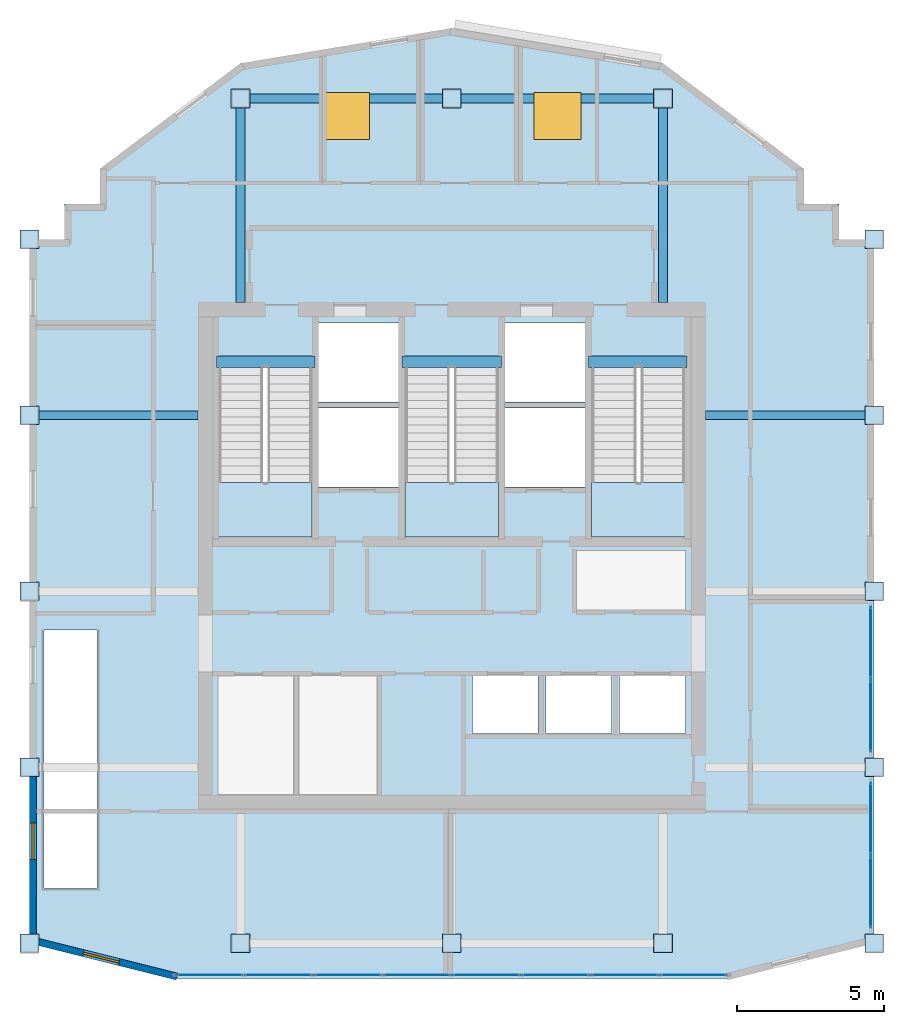
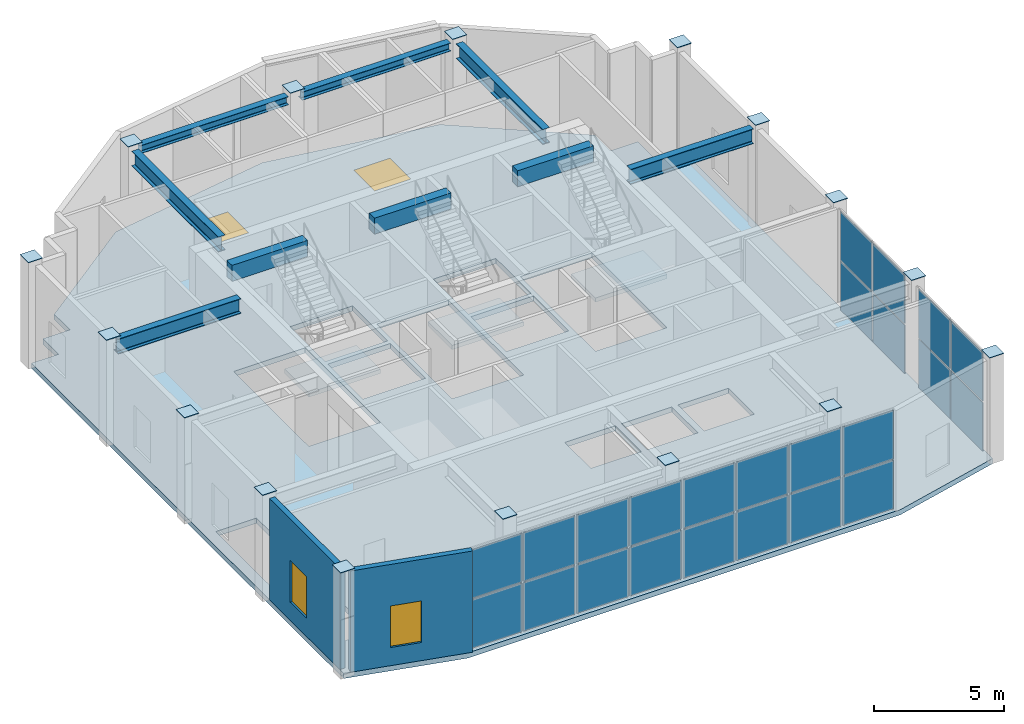
# One storey, part 6 of 11: 40 plates, 9 beams, 4 slabs, 4 windows, 2 walls, 4 openings, 6 elements without a shape of their own.
"""IFC4 building model written with IfcOpenShell, lengths in metres."""

from ifc_helpers import new_model, si_unit, direction, frame, frame_2d, origin, origin_2d, place, context, subcontext, project, spatial, polyline, rectangle, i_section, outline, extrude, material, layer, layer_set, material_profile, profile_set, type_object, element, fill, aggregate, save


model = new_model("IFC4")

# Units and contexts
model_context = context("Model", 3, precision=1e-05, world=origin(), true_north=direction((0.0, 1.0)))
body_context = subcontext(model_context, "Body", "Model", "MODEL_VIEW")
ifc_project = project(units=[si_unit("LENGTHUNIT", "METRE"), si_unit("AREAUNIT", "SQUARE_METRE"), si_unit("VOLUMEUNIT", "CUBIC_METRE"), si_unit("PLANEANGLEUNIT", "RADIAN"), si_unit("MASSUNIT", "GRAM", prefix="KILO")], contexts=[model_context])

# Site, building, storey
site_placement = place(None, origin())
site = spatial("IfcSite", under=ifc_project, at=site_placement, CompositionType="ELEMENT")
building_placement = place(site_placement, origin())
building = spatial("IfcBuilding", under=site, at=building_placement, Name="Haolan Belvedere Tower", CompositionType="ELEMENT")
storey_placement = place(building_placement, frame((0.0, 0.0, 323.199951171875)))
storey = spatial("IfcBuildingStorey", under=building, at=storey_placement, Name="L81", CompositionType="ELEMENT", Elevation=323.199951171875)

# Beams
ifc_material_1 = material(Name="Steel Q355B", Category="steel")
ifc_material_profile_1 = material_profile(ifc_material_1, i_section(OverallWidth=0.300048828125, OverallDepth=0.389892578125, WebThickness=0.010009765625, FlangeThickness=0.01611328125, FilletRadius=0.02197265625, at=origin_2d()), Name="Steel Q355B")
ifc_profile_set_1 = profile_set([ifc_material_profile_1], Name="Steel Q355B")
beam_type_1 = type_object("IfcBeamType", Name="BM-HM390x300x10x16", PredefinedType="SPANDREL", material=ifc_profile_set_1)
for number, where, z_axis, x_axis, name in (
    (1, (31.5, 50.39990234375, 4.554931640625), (1.0, 0.0, 0.0), (0.0, 1.0, 0.0), "L81 spandrel girder MC-T3-N1-TC-T3-NM"),
    (2, (38.699951171875, 50.39990234375, 4.554931640625), (1.0, 0.0, 0.0), (0.0, 1.0, 0.0), "L81 spandrel girder TC-T3-NM-MC-T3-N2"),
):
    element("IfcBeam", number, at=place(storey_placement, frame(where, z_axis=z_axis, x_axis=x_axis)), inside=storey, type_object=beam_type_1, Name=name, PredefinedType="SPANDREL", context=body_context, shape_type="SweptSolid", body=[
        extrude(i_section(OverallWidth=0.300048828125, OverallDepth=0.389892578125, WebThickness=0.010009765625, FlangeThickness=0.01611328125, FilletRadius=0.02197265625, at=origin_2d()), origin(), (0.0, 0.0, 1.0), 6.60009765625),
    ])
ifc_material_profile_2 = material_profile(ifc_material_1, i_section(OverallWidth=0.300048828125, OverallDepth=0.699951171875, WebThickness=0.012939453125, FlangeThickness=0.02392578125, FilletRadius=0.02587890625, at=origin_2d()), Name="Steel Q355B")
ifc_profile_set_2 = profile_set([ifc_material_profile_2], Name="Steel Q355B")
beam_type_2 = type_object("IfcBeamType", Name="BM-HN700x300x13x24", PredefinedType="BEAM", material=ifc_profile_set_2)
for number, where, z_axis, x_axis, name in (
    (3, (24.300048828125, 39.60009765625, 4.400146484375), (1.0, 0.0, 0.0), (0.0, 1.0, 0.0), "L81 core tie beam from TC-T3-W2"),
    (4, (52.5, 39.60009765625, 4.400146484375), (-1.0, 0.0, 0.0), (0.0, -1.0, 0.0), "L81 core tie beam from TC-T3-E2"),
):
    element("IfcBeam", number, at=place(storey_placement, frame(where, z_axis=z_axis, x_axis=x_axis)), inside=storey, type_object=beam_type_2, Name=name, PredefinedType="BEAM", context=body_context, shape_type="SweptSolid", body=[
        extrude(i_section(OverallWidth=0.300048828125, OverallDepth=0.699951171875, WebThickness=0.012939453125, FlangeThickness=0.02392578125, FilletRadius=0.02587890625, at=origin_2d()), origin(), (0.0, 0.0, 1.0), 5.449951171875),
    ])
for number, where, z_axis, x_axis, name in (
    (5, (31.199951171875, 50.10009765625, 4.400146484375), (0.0, -1.0, 0.0), (1.0, 0.0, 0.0), "L81 core tie beam from MC-T3-N1"),
    (6, (45.60009765625, 50.10009765625, 4.400146484375), (0.0, -1.0, 0.0), (1.0, 0.0, 0.0), "L81 core tie beam from MC-T3-N2"),
):
    element("IfcBeam", number, at=place(storey_placement, frame(where, z_axis=z_axis, x_axis=x_axis)), inside=storey, type_object=beam_type_2, Name=name, PredefinedType="BEAM", context=body_context, shape_type="SweptSolid", body=[
        extrude(i_section(OverallWidth=0.300048828125, OverallDepth=0.699951171875, WebThickness=0.012939453125, FlangeThickness=0.02392578125, FilletRadius=0.02587890625, at=origin_2d()), origin(), (0.0, 0.0, 1.0), 6.650146484375),
    ])
ifc_material_2 = material(Name="Concrete C50/60", Category="concrete")
ifc_material_profile_3 = material_profile(ifc_material_2, rectangle(XDim=0.39990234375, YDim=0.75, at=origin_2d()), Name="Concrete C50/60")
ifc_profile_set_3 = profile_set([ifc_material_profile_3], Name="Concrete C50/60")
beam_type_3 = type_object("IfcBeamType", Name="BM-RC400x750", PredefinedType="T_BEAM", material=ifc_profile_set_3)
beam_1_placement = place(storey_placement, frame((30.3798828125, 41.429931640625, 4.625), z_axis=(1.0, 0.0, 0.0), x_axis=(0.0, 1.0, 0.0)))
element("IfcBeam", 7, at=beam_1_placement, inside=storey, type_object=beam_type_3, Name="L82 stair ST1 RC header trimmer beam", PredefinedType="BEAM", context=body_context, shape_type="SweptSolid", body=[
    extrude(rectangle(XDim=0.39990234375, YDim=0.75, at=origin_2d()), origin(), (0.0, 0.0, 1.0), 3.360107421875),
])
beam_2_placement = place(storey_placement, frame((36.699951171875, 41.429931640625, 4.625), z_axis=(1.0, 0.0, 0.0), x_axis=(0.0, 1.0, 0.0)))
element("IfcBeam", 8, at=beam_2_placement, inside=storey, type_object=beam_type_3, Name="L82 stair ST3 RC header trimmer beam", PredefinedType="BEAM", context=body_context, shape_type="SweptSolid", body=[
    extrude(rectangle(XDim=0.39990234375, YDim=0.75, at=origin_2d()), origin(), (0.0, 0.0, 1.0), 3.400146484375),
])
beam_3_placement = place(storey_placement, frame((43.06005859375, 41.429931640625, 4.625), z_axis=(1.0, 0.0, 0.0), x_axis=(0.0, 1.0, 0.0)))
element("IfcBeam", 9, at=beam_3_placement, inside=storey, type_object=beam_type_3, Name="L82 stair ST2 RC header trimmer beam", PredefinedType="BEAM", context=body_context, shape_type="SweptSolid", body=[
    extrude(rectangle(XDim=0.39990234375, YDim=0.75, at=origin_2d()), origin(), (0.0, 0.0, 1.0), 3.35986328125),
])

# Curtain wall, plates
ifc_material_3 = material(Name="Anodised champagne-silver aluminium 6063-T6 and Low-E glass", Category="aluminium")
ifc_layer_1 = layer(ifc_material_3, 0.195068359375, Name="Anodised champagne-silver aluminium 6063-T6 and Low-E glass")
ifc_layer_set_1 = layer_set([ifc_layer_1], Name="Anodised champagne-silver aluminium 6063-T6 and Low-E glass")
curtain_wall_type = type_object("IfcCurtainWallType", Name="CW-SYS-06", PredefinedType="NOTDEFINED", material=ifc_layer_set_1)
curtain_wall_1_placement = place(storey_placement, origin())
curtain_wall_1 = element("IfcCurtainWall", 10, at=curtain_wall_1_placement, inside=storey, type_object=curtain_wall_type, Name="L81 CW-SYS-06 ribbon curtain wall 1.1", PredefinedType="NOTDEFINED")
ifc_material_4 = material(Name="Double silver Low-E laminated insulating glass", Category="glass")
ifc_layer_2 = layer(ifc_material_4, 0.031982421875, Name="Double silver Low-E laminated insulating glass")
ifc_layer_set_2 = layer_set([ifc_layer_2], Name="Double silver Low-E laminated insulating glass")
plate_type_1 = type_object("IfcPlateType", Name="CW-SYS-06-PNL", PredefinedType="CURTAIN_PANEL", material=ifc_layer_set_2)
plate_1_placement = place(storey_placement, frame((30.15283203125, 20.52001953125, 0.06494140625), z_axis=(0.0, 0.0, 1.0), x_axis=(1.0, 0.0, 0.0)))
plate_1 = element("IfcPlate", 11, at=plate_1_placement, type_object=plate_type_1, Name="CW-06 panel 1.1", PredefinedType="CURTAIN_PANEL", context=body_context, shape_type="SweptSolid", body=[
    extrude(rectangle(XDim=2.25634765625, YDim=0.031982421875, at=origin_2d()), origin(), (0.0, 0.0, 1.0), 2.277587890625),
])
plate_2_placement = place(storey_placement, frame((30.15283203125, 20.52001953125, 2.40771484375), z_axis=(0.0, 0.0, 1.0), x_axis=(1.0, 0.0, 0.0)))
plate_2 = element("IfcPlate", 12, at=plate_2_placement, type_object=plate_type_1, Name="CW-06 panel 1.2", PredefinedType="CURTAIN_PANEL", context=body_context, shape_type="SweptSolid", body=[
    extrude(rectangle(XDim=2.25634765625, YDim=0.031982421875, at=origin_2d()), origin(), (0.0, 0.0, 1.0), 2.277587890625),
])
plate_3_placement = place(storey_placement, frame((32.496826171875, 20.52001953125, 0.06494140625), z_axis=(0.0, 0.0, 1.0), x_axis=(1.0, 0.0, 0.0)))
plate_3 = element("IfcPlate", 13, at=plate_3_placement, type_object=plate_type_1, Name="CW-06 panel 2.1", PredefinedType="CURTAIN_PANEL", context=body_context, shape_type="SweptSolid", body=[
    extrude(rectangle(XDim=2.291259765625, YDim=0.031982421875, at=origin_2d()), origin(), (0.0, 0.0, 1.0), 2.277587890625),
])
plate_4_placement = place(storey_placement, frame((32.496826171875, 20.52001953125, 2.40771484375), z_axis=(0.0, 0.0, 1.0), x_axis=(1.0, 0.0, 0.0)))
plate_4 = element("IfcPlate", 14, at=plate_4_placement, type_object=plate_type_1, Name="CW-06 panel 2.2", PredefinedType="CURTAIN_PANEL", context=body_context, shape_type="SweptSolid", body=[
    extrude(rectangle(XDim=2.291259765625, YDim=0.031982421875, at=origin_2d()), origin(), (0.0, 0.0, 1.0), 2.277587890625),
])
plate_5_placement = place(storey_placement, frame((34.858154296875, 20.52001953125, 0.06494140625), z_axis=(0.0, 0.0, 1.0), x_axis=(1.0, 0.0, 0.0)))
plate_5 = element("IfcPlate", 15, at=plate_5_placement, type_object=plate_type_1, Name="CW-06 panel 3.1", PredefinedType="CURTAIN_PANEL", context=body_context, shape_type="SweptSolid", body=[
    extrude(rectangle(XDim=2.291259765625, YDim=0.031982421875, at=origin_2d()), origin(), (0.0, 0.0, 1.0), 2.277587890625),
])
plate_6_placement = place(storey_placement, frame((34.858154296875, 20.52001953125, 2.40771484375), z_axis=(0.0, 0.0, 1.0), x_axis=(1.0, 0.0, 0.0)))
plate_6 = element("IfcPlate", 16, at=plate_6_placement, type_object=plate_type_1, Name="CW-06 panel 3.2", PredefinedType="CURTAIN_PANEL", context=body_context, shape_type="SweptSolid", body=[
    extrude(rectangle(XDim=2.291259765625, YDim=0.031982421875, at=origin_2d()), origin(), (0.0, 0.0, 1.0), 2.277587890625),
])
plate_7_placement = place(storey_placement, frame((37.21923828125, 20.52001953125, 0.06494140625), z_axis=(0.0, 0.0, 1.0), x_axis=(1.0, 0.0, 0.0)))
plate_7 = element("IfcPlate", 17, at=plate_7_placement, type_object=plate_type_1, Name="CW-06 panel 4.1", PredefinedType="CURTAIN_PANEL", context=body_context, shape_type="SweptSolid", body=[
    extrude(rectangle(XDim=2.291259765625, YDim=0.031982421875, at=origin_2d()), origin(), (0.0, 0.0, 1.0), 2.277587890625),
])
plate_8_placement = place(storey_placement, frame((37.21923828125, 20.52001953125, 2.40771484375), z_axis=(0.0, 0.0, 1.0), x_axis=(1.0, 0.0, 0.0)))
plate_8 = element("IfcPlate", 18, at=plate_8_placement, type_object=plate_type_1, Name="CW-06 panel 4.2", PredefinedType="CURTAIN_PANEL", context=body_context, shape_type="SweptSolid", body=[
    extrude(rectangle(XDim=2.291259765625, YDim=0.031982421875, at=origin_2d()), origin(), (0.0, 0.0, 1.0), 2.277587890625),
])
plate_9_placement = place(storey_placement, frame((39.58056640625, 20.52001953125, 0.06494140625), z_axis=(0.0, 0.0, 1.0), x_axis=(1.0, 0.0, 0.0)))
plate_9 = element("IfcPlate", 19, at=plate_9_placement, type_object=plate_type_1, Name="CW-06 panel 5.1", PredefinedType="CURTAIN_PANEL", context=body_context, shape_type="SweptSolid", body=[
    extrude(rectangle(XDim=2.291259765625, YDim=0.031982421875, at=origin_2d()), origin(), (0.0, 0.0, 1.0), 2.277587890625),
])
plate_10_placement = place(storey_placement, frame((39.58056640625, 20.52001953125, 2.40771484375), z_axis=(0.0, 0.0, 1.0), x_axis=(1.0, 0.0, 0.0)))
plate_10 = element("IfcPlate", 20, at=plate_10_placement, type_object=plate_type_1, Name="CW-06 panel 5.2", PredefinedType="CURTAIN_PANEL", context=body_context, shape_type="SweptSolid", body=[
    extrude(rectangle(XDim=2.291259765625, YDim=0.031982421875, at=origin_2d()), origin(), (0.0, 0.0, 1.0), 2.277587890625),
])
plate_11_placement = place(storey_placement, frame((41.94189453125, 20.52001953125, 0.06494140625), z_axis=(0.0, 0.0, 1.0), x_axis=(1.0, 0.0, 0.0)))
plate_11 = element("IfcPlate", 21, at=plate_11_placement, type_object=plate_type_1, Name="CW-06 panel 6.1", PredefinedType="CURTAIN_PANEL", context=body_context, shape_type="SweptSolid", body=[
    extrude(rectangle(XDim=2.291259765625, YDim=0.031982421875, at=origin_2d()), origin(), (0.0, 0.0, 1.0), 2.277587890625),
])
plate_12_placement = place(storey_placement, frame((41.94189453125, 20.52001953125, 2.40771484375), z_axis=(0.0, 0.0, 1.0), x_axis=(1.0, 0.0, 0.0)))
plate_12 = element("IfcPlate", 22, at=plate_12_placement, type_object=plate_type_1, Name="CW-06 panel 6.2", PredefinedType="CURTAIN_PANEL", context=body_context, shape_type="SweptSolid", body=[
    extrude(rectangle(XDim=2.291259765625, YDim=0.031982421875, at=origin_2d()), origin(), (0.0, 0.0, 1.0), 2.277587890625),
])
plate_13_placement = place(storey_placement, frame((44.30322265625, 20.52001953125, 0.06494140625), z_axis=(0.0, 0.0, 1.0), x_axis=(1.0, 0.0, 0.0)))
plate_13 = element("IfcPlate", 23, at=plate_13_placement, type_object=plate_type_1, Name="CW-06 panel 7.1", PredefinedType="CURTAIN_PANEL", context=body_context, shape_type="SweptSolid", body=[
    extrude(rectangle(XDim=2.291259765625, YDim=0.031982421875, at=origin_2d()), origin(), (0.0, 0.0, 1.0), 2.277587890625),
])
plate_14_placement = place(storey_placement, frame((44.30322265625, 20.52001953125, 2.40771484375), z_axis=(0.0, 0.0, 1.0), x_axis=(1.0, 0.0, 0.0)))
plate_14 = element("IfcPlate", 24, at=plate_14_placement, type_object=plate_type_1, Name="CW-06 panel 7.2", PredefinedType="CURTAIN_PANEL", context=body_context, shape_type="SweptSolid", body=[
    extrude(rectangle(XDim=2.291259765625, YDim=0.031982421875, at=origin_2d()), origin(), (0.0, 0.0, 1.0), 2.277587890625),
])
plate_15_placement = place(storey_placement, frame((46.64697265625, 20.52001953125, 0.06494140625), z_axis=(0.0, 0.0, 1.0), x_axis=(1.0, 0.0, 0.0)))
plate_15 = element("IfcPlate", 25, at=plate_15_placement, type_object=plate_type_1, Name="CW-06 panel 8.1", PredefinedType="CURTAIN_PANEL", context=body_context, shape_type="SweptSolid", body=[
    extrude(rectangle(XDim=2.25634765625, YDim=0.031982421875, at=origin_2d()), origin(), (0.0, 0.0, 1.0), 2.277587890625),
])
plate_16_placement = place(storey_placement, frame((46.64697265625, 20.52001953125, 2.40771484375), z_axis=(0.0, 0.0, 1.0), x_axis=(1.0, 0.0, 0.0)))
plate_16 = element("IfcPlate", 26, at=plate_16_placement, type_object=plate_type_1, Name="CW-06 panel 8.2", PredefinedType="CURTAIN_PANEL", context=body_context, shape_type="SweptSolid", body=[
    extrude(rectangle(XDim=2.25634765625, YDim=0.031982421875, at=origin_2d()), origin(), (0.0, 0.0, 1.0), 2.277587890625),
])
aggregate(curtain_wall_1, [plate_1, plate_2, plate_3, plate_4, plate_5, plate_6, plate_7, plate_8, plate_9, plate_10, plate_11, plate_12, plate_13, plate_14, plate_15, plate_16])

curtain_wall_2_placement = place(storey_placement, origin())
curtain_wall_2 = element("IfcCurtainWall", 27, at=curtain_wall_2_placement, inside=storey, type_object=curtain_wall_type, Name="L81 CW-SYS-06 ribbon curtain wall 3.1", PredefinedType="NOTDEFINED")
plate_17_placement = place(storey_placement, frame((52.679931640625, 23.347412109375, 0.06494140625), z_axis=(0.0, 0.0, 1.0), x_axis=(0.0, 1.0, 0.0)))
plate_17 = element("IfcPlate", 28, at=plate_17_placement, type_object=plate_type_1, Name="CW-06 panel 1.1", PredefinedType="CURTAIN_PANEL", context=body_context, shape_type="SweptSolid", body=[
    extrude(rectangle(XDim=2.43505859375, YDim=0.031982421875, at=origin_2d()), origin(), (0.0, 0.0, 1.0), 2.277587890625),
])
plate_18_placement = place(storey_placement, frame((52.679931640625, 23.347412109375, 2.40771484375), z_axis=(0.0, 0.0, 1.0), x_axis=(0.0, 1.0, 0.0)))
plate_18 = element("IfcPlate", 29, at=plate_18_placement, type_object=plate_type_1, Name="CW-06 panel 1.2", PredefinedType="CURTAIN_PANEL", context=body_context, shape_type="SweptSolid", body=[
    extrude(rectangle(XDim=2.43505859375, YDim=0.031982421875, at=origin_2d()), origin(), (0.0, 0.0, 1.0), 2.277587890625),
])
plate_19_placement = place(storey_placement, frame((52.679931640625, 25.8525390625, 0.06494140625), z_axis=(0.0, 0.0, 1.0), x_axis=(0.0, 1.0, 0.0)))
plate_19 = element("IfcPlate", 30, at=plate_19_placement, type_object=plate_type_1, Name="CW-06 panel 2.1", PredefinedType="CURTAIN_PANEL", context=body_context, shape_type="SweptSolid", body=[
    extrude(rectangle(XDim=2.43505859375, YDim=0.031982421875, at=origin_2d()), origin(), (0.0, 0.0, 1.0), 2.277587890625),
])
plate_20_placement = place(storey_placement, frame((52.679931640625, 25.8525390625, 2.40771484375), z_axis=(0.0, 0.0, 1.0), x_axis=(0.0, 1.0, 0.0)))
plate_20 = element("IfcPlate", 31, at=plate_20_placement, type_object=plate_type_1, Name="CW-06 panel 2.2", PredefinedType="CURTAIN_PANEL", context=body_context, shape_type="SweptSolid", body=[
    extrude(rectangle(XDim=2.43505859375, YDim=0.031982421875, at=origin_2d()), origin(), (0.0, 0.0, 1.0), 2.277587890625),
])
aggregate(curtain_wall_2, [plate_17, plate_18, plate_19, plate_20])

curtain_wall_3_placement = place(storey_placement, origin())
curtain_wall_3 = element("IfcCurtainWall", 32, at=curtain_wall_3_placement, inside=storey, type_object=curtain_wall_type, Name="L81 CW-SYS-06 ribbon curtain wall 3.2", PredefinedType="NOTDEFINED")
plate_21_placement = place(storey_placement, frame((52.679931640625, 29.347412109375, 0.06494140625), z_axis=(0.0, 0.0, 1.0), x_axis=(0.0, 1.0, 0.0)))
plate_21 = element("IfcPlate", 33, at=plate_21_placement, type_object=plate_type_1, Name="CW-06 panel 1.1", PredefinedType="CURTAIN_PANEL", context=body_context, shape_type="SweptSolid", body=[
    extrude(rectangle(XDim=2.43505859375, YDim=0.031982421875, at=origin_2d()), origin(), (0.0, 0.0, 1.0), 2.277587890625),
])
plate_22_placement = place(storey_placement, frame((52.679931640625, 29.347412109375, 2.40771484375), z_axis=(0.0, 0.0, 1.0), x_axis=(0.0, 1.0, 0.0)))
plate_22 = element("IfcPlate", 34, at=plate_22_placement, type_object=plate_type_1, Name="CW-06 panel 1.2", PredefinedType="CURTAIN_PANEL", context=body_context, shape_type="SweptSolid", body=[
    extrude(rectangle(XDim=2.43505859375, YDim=0.031982421875, at=origin_2d()), origin(), (0.0, 0.0, 1.0), 2.277587890625),
])
plate_23_placement = place(storey_placement, frame((52.679931640625, 31.8525390625, 0.06494140625), z_axis=(0.0, 0.0, 1.0), x_axis=(0.0, 1.0, 0.0)))
plate_23 = element("IfcPlate", 35, at=plate_23_placement, type_object=plate_type_1, Name="CW-06 panel 2.1", PredefinedType="CURTAIN_PANEL", context=body_context, shape_type="SweptSolid", body=[
    extrude(rectangle(XDim=2.43505859375, YDim=0.031982421875, at=origin_2d()), origin(), (0.0, 0.0, 1.0), 2.277587890625),
])
plate_24_placement = place(storey_placement, frame((52.679931640625, 31.8525390625, 2.40771484375), z_axis=(0.0, 0.0, 1.0), x_axis=(0.0, 1.0, 0.0)))
plate_24 = element("IfcPlate", 36, at=plate_24_placement, type_object=plate_type_1, Name="CW-06 panel 2.2", PredefinedType="CURTAIN_PANEL", context=body_context, shape_type="SweptSolid", body=[
    extrude(rectangle(XDim=2.43505859375, YDim=0.031982421875, at=origin_2d()), origin(), (0.0, 0.0, 1.0), 2.277587890625),
])
aggregate(curtain_wall_3, [plate_21, plate_22, plate_23, plate_24])

# Plates
ifc_layer_3 = layer(ifc_material_1, 0.02490234375, Name="Steel Q355B")
ifc_layer_set_3 = layer_set([ifc_layer_3], Name="Steel Q355B")
plate_type_2 = type_object("IfcPlateType", Name="PL-CAP-25", PredefinedType="SHEET", material=ifc_layer_set_3)
for number, where, z_axis, x_axis, name in (
    (37, (24.0, 21.60009765625, 5.0), (0.0, 0.0, 1.0), (1.0, 0.0, 0.0), "Hollow steel end-cap plate COL-L81-MC-T3-SW-TCAP"),
    (38, (24.0, 33.60009765625, 5.0), (0.0, 0.0, 1.0), (1.0, 0.0, 0.0), "Hollow steel end-cap plate COL-L81-MC-T3-MW-TCAP"),
    (39, (24.0, 45.60009765625, 5.0), (0.0, 0.0, 1.0), (1.0, 0.0, 0.0), "Hollow steel end-cap plate COL-L81-MC-T3-NW-TCAP"),
    (40, (52.800048828125, 21.60009765625, 5.0), (0.0, 0.0, 1.0), (1.0, 0.0, 0.0), "Hollow steel end-cap plate COL-L81-MC-T3-SE-TCAP"),
    (41, (52.800048828125, 33.60009765625, 5.0), (0.0, 0.0, 1.0), (1.0, 0.0, 0.0), "Hollow steel end-cap plate COL-L81-MC-T3-ME-TCAP"),
    (42, (52.800048828125, 45.60009765625, 5.0), (0.0, 0.0, 1.0), (1.0, 0.0, 0.0), "Hollow steel end-cap plate COL-L81-MC-T3-NE-TCAP"),
    (43, (31.199951171875, 21.60009765625, 5.0), (0.0, 0.0, 1.0), (1.0, 0.0, 0.0), "Hollow steel end-cap plate COL-L81-MC-T3-S1-TCAP"),
    (44, (45.60009765625, 21.60009765625, 5.0), (0.0, 0.0, 1.0), (1.0, 0.0, 0.0), "Hollow steel end-cap plate COL-L81-MC-T3-S2-TCAP"),
    (45, (31.199951171875, 50.39990234375, 5.0), (0.0, 0.0, 1.0), (1.0, 0.0, 0.0), "Hollow steel end-cap plate COL-L81-MC-T3-N1-TCAP"),
    (46, (45.60009765625, 50.39990234375, 5.0), (0.0, 0.0, 1.0), (1.0, 0.0, 0.0), "Hollow steel end-cap plate COL-L81-MC-T3-N2-TCAP"),
    (47, (24.0, 27.60009765625, 5.0), (0.0, 0.0, 1.0), (1.0, 0.0, 0.0), "Hollow steel end-cap plate COL-L81-TC-T3-W1-TCAP"),
    (48, (24.0, 39.60009765625, 5.0), (0.0, 0.0, 1.0), (1.0, 0.0, 0.0), "Hollow steel end-cap plate COL-L81-TC-T3-W2-TCAP"),
    (49, (52.800048828125, 27.60009765625, 5.0), (0.0, 0.0, 1.0), (1.0, 0.0, 0.0), "Hollow steel end-cap plate COL-L81-TC-T3-E1-TCAP"),
    (50, (52.800048828125, 39.60009765625, 5.0), (0.0, 0.0, 1.0), (1.0, 0.0, 0.0), "Hollow steel end-cap plate COL-L81-TC-T3-E2-TCAP"),
    (51, (38.39990234375, 21.60009765625, 5.0), (0.0, 0.0, 1.0), (1.0, 0.0, 0.0), "Hollow steel end-cap plate COL-L81-TC-T3-SM-TCAP"),
    (52, (38.39990234375, 50.39990234375, 5.0), (0.0, 0.0, 1.0), (1.0, 0.0, 0.0), "Hollow steel end-cap plate COL-L81-TC-T3-NM-TCAP"),
):
    element("IfcPlate", number, at=place(storey_placement, frame(where, z_axis=z_axis, x_axis=x_axis)), inside=storey, type_object=plate_type_2, Name=name, PredefinedType="SHEET", context=body_context, shape_type="SweptSolid", body=[
        extrude(rectangle(XDim=0.639892578125, YDim=0.639892578125, at=origin_2d()), origin(), (0.0, 0.0, 1.0), 0.02490234375),
    ])

# Slab, openings, windows
ifc_material_5 = material(Name="Concrete C40/50", Category="concrete")
ifc_layer_4 = layer(ifc_material_5, 0.239990234375, Name="Concrete C40/50")
ifc_layer_set_4 = layer_set([ifc_layer_4], Name="Concrete C40/50")
slab_type_1 = type_object("IfcSlabType", Name="SL-FLR-240", PredefinedType="FLOOR", material=ifc_layer_set_4)
slab_1_placement = place(storey_placement, frame((0.0, 0.0, -0.239990234375)))
slab_1 = element("IfcSlab", 53, at=slab_1_placement, inside=storey, type_object=slab_type_1, Name="L81 structural floor slab", PredefinedType="FLOOR", context=body_context, shape_type="SweptSolid", body=[
    extrude(outline(polyline([(24.0, 21.60009765625), (28.800048828125, 20.39990234375), (48.0, 20.39990234375), (52.800048828125, 21.60009765625), (52.800048828125, 45.60009765625), (52.800048828125, 45.60009765625), (51.60009765625, 45.60009765625), (51.60009765625, 46.800048828125), (50.39990234375, 46.800048828125), (50.39990234375, 48.0), (45.60009765625, 51.60009765625), (38.39990234375, 52.800048828125), (31.199951171875, 51.60009765625), (26.39990234375, 48.0), (26.39990234375, 46.800048828125), (25.199951171875, 46.800048828125), (25.199951171875, 45.60009765625), (24.0, 45.60009765625), (24.0, 45.60009765625), (24.0, 21.60009765625)]), holes=[polyline([(30.449951171875, 41.22998046875), (30.449951171875, 35.449951171875), (33.6298828125, 35.449951171875), (33.6298828125, 41.22998046875), (30.449951171875, 41.22998046875)]), polyline([(36.81005859375, 41.22998046875), (36.81005859375, 35.449951171875), (39.989990234375, 35.449951171875), (39.989990234375, 41.22998046875), (36.81005859375, 41.22998046875)]), polyline([(43.169921875, 41.22998046875), (43.169921875, 35.449951171875), (46.35009765625, 35.449951171875), (46.35009765625, 41.22998046875), (43.169921875, 41.22998046875)]), polyline([(24.4951171875, 23.47998046875), (26.304931640625, 23.47998046875), (26.304931640625, 32.284912109375), (24.4951171875, 32.284912109375), (24.4951171875, 23.47998046875)]), polyline([(33.830078125, 40.050048828125), (36.610107421875, 40.050048828125), (36.610107421875, 42.75), (33.830078125, 42.75), (33.830078125, 40.050048828125)]), polyline([(33.830078125, 37.14990234375), (36.610107421875, 37.14990234375), (36.610107421875, 39.85009765625), (33.830078125, 39.85009765625), (33.830078125, 37.14990234375)]), polyline([(40.18994140625, 40.050048828125), (42.969970703125, 40.050048828125), (42.969970703125, 42.75), (40.18994140625, 42.75), (40.18994140625, 40.050048828125)]), polyline([(40.18994140625, 37.14990234375), (42.969970703125, 37.14990234375), (42.969970703125, 39.85009765625), (40.18994140625, 39.85009765625), (40.18994140625, 37.14990234375)]), polyline([(39.10009765625, 28.75), (41.340087890625, 28.75), (41.340087890625, 30.75), (39.10009765625, 30.75), (39.10009765625, 28.75)]), polyline([(41.610107421875, 28.75), (43.85009765625, 28.75), (43.85009765625, 30.75), (41.610107421875, 30.75), (41.610107421875, 28.75)]), polyline([(44.1201171875, 28.75), (46.360107421875, 28.75), (46.360107421875, 30.75), (44.1201171875, 30.75), (44.1201171875, 28.75)])]), origin(), (0.0, 0.0, 1.0), 0.239990234375),
])
opening_1_placement = place(slab_1_placement, frame((34.800048828125, 49.800048828125, 0.0)))
opening_1 = element("IfcOpeningElement", 54, at=opening_1_placement, cuts=slab_1, Name="Opening SK-01", PredefinedType="OPENING", context=body_context, shape_type="SweptSolid", body=[
    extrude(rectangle(XDim=1.60009765625, YDim=1.60009765625, at=origin_2d()), frame((0.0, 0.0, -0.010009765625)), (0.0, 0.0, 1.0), 0.260009765625),
])
opening_2_placement = place(slab_1_placement, frame((42.0, 49.800048828125, 0.0)))
opening_2 = element("IfcOpeningElement", 55, at=opening_2_placement, cuts=slab_1, Name="Opening SK-01", PredefinedType="OPENING", context=body_context, shape_type="SweptSolid", body=[
    extrude(rectangle(XDim=1.60009765625, YDim=1.60009765625, at=origin_2d()), frame((0.0, 0.0, -0.010009765625)), (0.0, 0.0, 1.0), 0.260009765625),
])
ifc_material_6 = material(Name="Laminated solar-control skylight glass", Category="glass")
window_type_1 = type_object("IfcWindowType", Name="WN-SKY-160", PartitioningType="SINGLE_PANEL", PredefinedType="SKYLIGHT", material=ifc_material_6)
window_1_placement = place(opening_1_placement, frame((0.0, 0.0, 0.18994140625)))
window_1 = element("IfcWindow", 56, at=window_1_placement, inside=storey, type_object=window_type_1, Name="L81 architectural daylight skylight SKY-L81-1", OverallHeight=1.60009765625, OverallWidth=1.60009765625, PartitioningType="SINGLE_PANEL", PredefinedType="SKYLIGHT", context=body_context, shape_type="SweptSolid", body=[
    extrude(rectangle(XDim=1.60009765625, YDim=1.60009765625, at=origin_2d()), origin(), (0.0, 0.0, 1.0), 0.050048828125),
])
fill(opening_1, window_1)
window_2_placement = place(opening_2_placement, frame((0.0, 0.0, 0.18994140625)))
window_2 = element("IfcWindow", 57, at=window_2_placement, inside=storey, type_object=window_type_1, Name="L81 architectural daylight skylight SKY-L81-2", OverallHeight=1.60009765625, OverallWidth=1.60009765625, PartitioningType="SINGLE_PANEL", PredefinedType="SKYLIGHT", context=body_context, shape_type="SweptSolid", body=[
    extrude(rectangle(XDim=1.60009765625, YDim=1.60009765625, at=origin_2d()), origin(), (0.0, 0.0, 1.0), 0.050048828125),
])
fill(opening_2, window_2)

# Stair, slab
stair_type = type_object("IfcStairType", Name="STR-DL-30R-167", PredefinedType="HALF_TURN_STAIR", material=ifc_material_5)
stair_1_placement = place(storey_placement, origin())
stair_1 = element("IfcStair", 58, at=stair_1_placement, inside=storey, type_object=stair_type, Name="L81 Smokeproof Core Exit Stair ST1", PredefinedType="HALF_TURN_STAIR")
ifc_layer_5 = layer(ifc_material_5, 0.199951171875, Name="Concrete C40/50")
ifc_layer_set_5 = layer_set([ifc_layer_5], Name="Concrete C40/50")
slab_type_2 = type_object("IfcSlabType", Name="SL-LAND-200", PredefinedType="LANDING", material=ifc_layer_set_5)
slab_2_placement = place(storey_placement, frame((0.0, 0.0, 2.300048828125)))
slab_2 = element("IfcSlab", 59, at=slab_2_placement, type_object=slab_type_2, Name="ST1 landing 1", PredefinedType="LANDING", context=body_context, shape_type="SweptSolid", body=[
    extrude(outline(polyline([(30.449951171875, 37.31005859375), (30.449951171875, 35.449951171875), (33.6298828125, 35.449951171875), (33.6298828125, 37.31005859375), (30.449951171875, 37.31005859375)])), origin(), (0.0, 0.0, 1.0), 0.199951171875),
])
aggregate(stair_1, [slab_2])

stair_2_placement = place(storey_placement, origin())
stair_2 = element("IfcStair", 60, at=stair_2_placement, inside=storey, type_object=stair_type, Name="L81 Smokeproof Core Exit Stair ST3", PredefinedType="HALF_TURN_STAIR")
slab_3_placement = place(storey_placement, frame((0.0, 0.0, 2.300048828125)))
slab_3 = element("IfcSlab", 61, at=slab_3_placement, type_object=slab_type_2, Name="ST3 landing 1", PredefinedType="LANDING", context=body_context, shape_type="SweptSolid", body=[
    extrude(outline(polyline([(36.81005859375, 37.31005859375), (36.81005859375, 35.449951171875), (39.989990234375, 35.449951171875), (39.989990234375, 37.31005859375), (36.81005859375, 37.31005859375)])), origin(), (0.0, 0.0, 1.0), 0.199951171875),
])
aggregate(stair_2, [slab_3])

stair_3_placement = place(storey_placement, origin())
stair_3 = element("IfcStair", 62, at=stair_3_placement, inside=storey, type_object=stair_type, Name="L81 Smokeproof Core Exit Stair ST2", PredefinedType="HALF_TURN_STAIR")
slab_4_placement = place(storey_placement, frame((0.0, 0.0, 2.300048828125)))
slab_4 = element("IfcSlab", 63, at=slab_4_placement, type_object=slab_type_2, Name="ST2 landing 1", PredefinedType="LANDING", context=body_context, shape_type="SweptSolid", body=[
    extrude(outline(polyline([(43.169921875, 37.31005859375), (43.169921875, 35.449951171875), (46.35009765625, 35.449951171875), (46.35009765625, 37.31005859375), (43.169921875, 37.31005859375)])), origin(), (0.0, 0.0, 1.0), 0.199951171875),
])
aggregate(stair_3, [slab_4])

# Wall, opening, window
ifc_material_7 = material(Name="Precast concrete C40/50", Category="concrete")
ifc_layer_6 = layer(ifc_material_7, 0.239990234375, Name="Precast concrete C40/50")
ifc_layer_set_6 = layer_set([ifc_layer_6], Name="Precast concrete C40/50")
wall_type = type_object("IfcWallType", Name="WL-EXT-240", PredefinedType="SOLIDWALL", material=ifc_layer_set_6)
wall_1_placement = place(storey_placement, frame((24.1201171875, 27.30810546875, 0.0), z_axis=(0.0, 0.0, 1.0), x_axis=(0.0, -1.0, 0.0)))
wall_1 = element("IfcWall", 64, at=wall_1_placement, inside=storey, type_object=wall_type, Name="L81 pale-metal exterior spandrel wall 16.4", PredefinedType="SOLIDWALL", context=body_context, shape_type="SweptSolid", body=[
    extrude(rectangle(XDim=5.416015625, YDim=0.239990234375, at=frame_2d((2.7080078125, 0.0))), origin(), (0.0, 0.0, 1.0), 4.75),
])
opening_3_placement = place(wall_1_placement, frame((1.60009765625, 0.0, 0.85009765625)))
opening_3 = element("IfcOpeningElement", 65, at=opening_3_placement, cuts=wall_1, Name="Opening W-04", PredefinedType="OPENING", context=body_context, shape_type="SweptSolid", body=[
    extrude(rectangle(XDim=1.25, YDim=1.949951171875, at=frame_2d((0.625, 0.97509765625))), frame((0.0, 0.1298828125, 0.0), z_axis=(0.0, -1.0, 0.0), x_axis=(1.0, 0.0, 0.0)), (0.0, 0.0, 1.0), 0.260009765625),
])
ifc_material_8 = material(Name="Anodised aluminium 6063-T6 and Low-E glass", Category="aluminium")
window_type_2 = type_object("IfcWindowType", Name="WN-DECO-Z4", PartitioningType="SINGLE_PANEL", PredefinedType="WINDOW", material=ifc_material_8)
window_3_placement = place(opening_3_placement, origin())
window_3 = element("IfcWindow", 66, at=window_3_placement, inside=storey, type_object=window_type_2, Name="L81 Art Deco chevron window 1", OverallHeight=1.949951171875, OverallWidth=1.25, PartitioningType="SINGLE_PANEL", PredefinedType="WINDOW", context=body_context, shape_type="SweptSolid", body=[
    extrude(rectangle(XDim=1.25, YDim=1.949951171875, at=frame_2d((0.625, 0.97509765625))), frame((0.0, 0.030029296875, 0.0), z_axis=(0.0, -1.0, 0.0), x_axis=(1.0, 0.0, 0.0)), (0.0, 0.0, 1.0), 0.06005859375),
])
fill(opening_3, window_3)

wall_2_placement = place(storey_placement, frame((24.2919921875, 21.650634765625, 0.0), z_axis=(0.0, 0.0, 1.0), x_axis=(0.970142500145, -0.242535625036, 0.0)))
wall_2 = element("IfcWall", 67, at=wall_2_placement, inside=storey, type_object=wall_type, Name="L81 pale-metal exterior spandrel wall 17.1", PredefinedType="SOLIDWALL", context=body_context, shape_type="SweptSolid", body=[
    extrude(rectangle(XDim=4.88720703125, YDim=0.239990234375, at=frame_2d((2.443603515625, 0.0))), origin(), (0.0, 0.0, 1.0), 4.75),
])
opening_4_placement = place(wall_2_placement, frame((1.60009765625, 0.0, 0.85009765625)))
opening_4 = element("IfcOpeningElement", 68, at=opening_4_placement, cuts=wall_2, Name="Opening W-04", PredefinedType="OPENING", context=body_context, shape_type="SweptSolid", body=[
    extrude(rectangle(XDim=1.25, YDim=1.949951171875, at=frame_2d((0.625, 0.97509765625))), frame((0.0, 0.1298828125, 0.0), z_axis=(0.0, -1.0, 0.0), x_axis=(1.0, 0.0, 0.0)), (0.0, 0.0, 1.0), 0.260009765625),
])
window_4_placement = place(opening_4_placement, origin())
window_4 = element("IfcWindow", 69, at=window_4_placement, inside=storey, type_object=window_type_2, Name="L81 Art Deco chevron window 1", OverallHeight=1.949951171875, OverallWidth=1.25, PartitioningType="SINGLE_PANEL", PredefinedType="WINDOW", context=body_context, shape_type="SweptSolid", body=[
    extrude(rectangle(XDim=1.25, YDim=1.949951171875, at=frame_2d((0.625, 0.97509765625))), frame((0.0, 0.030029296875, 0.0), z_axis=(0.0, -1.0, 0.0), x_axis=(1.0, 0.0, 0.0)), (0.0, 0.0, 1.0), 0.06005859375),
])
fill(opening_4, window_4)

save(model, "model.ifc")
